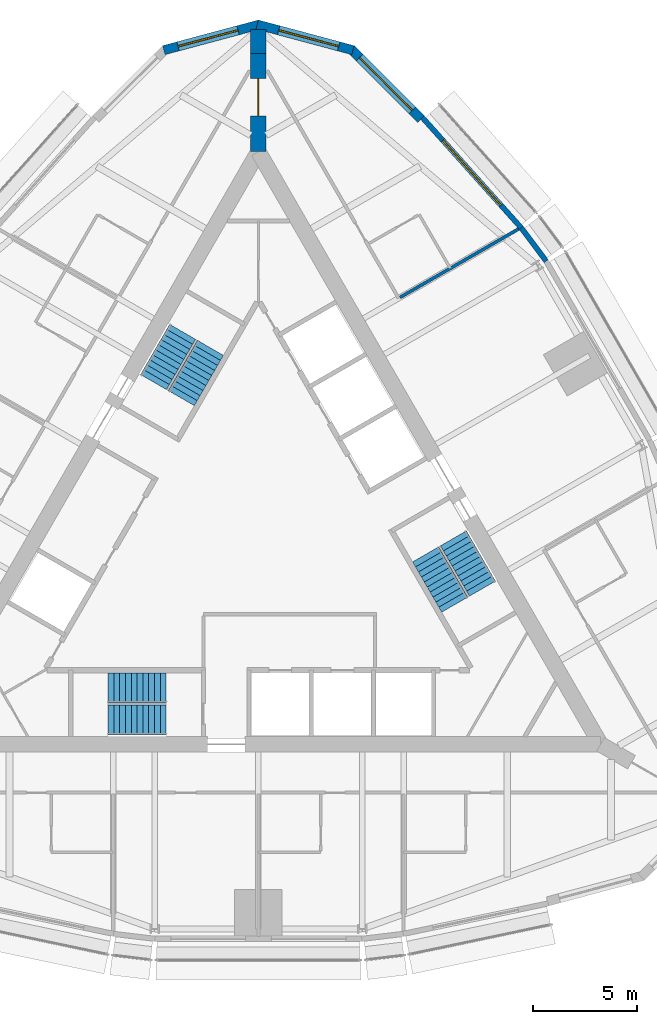
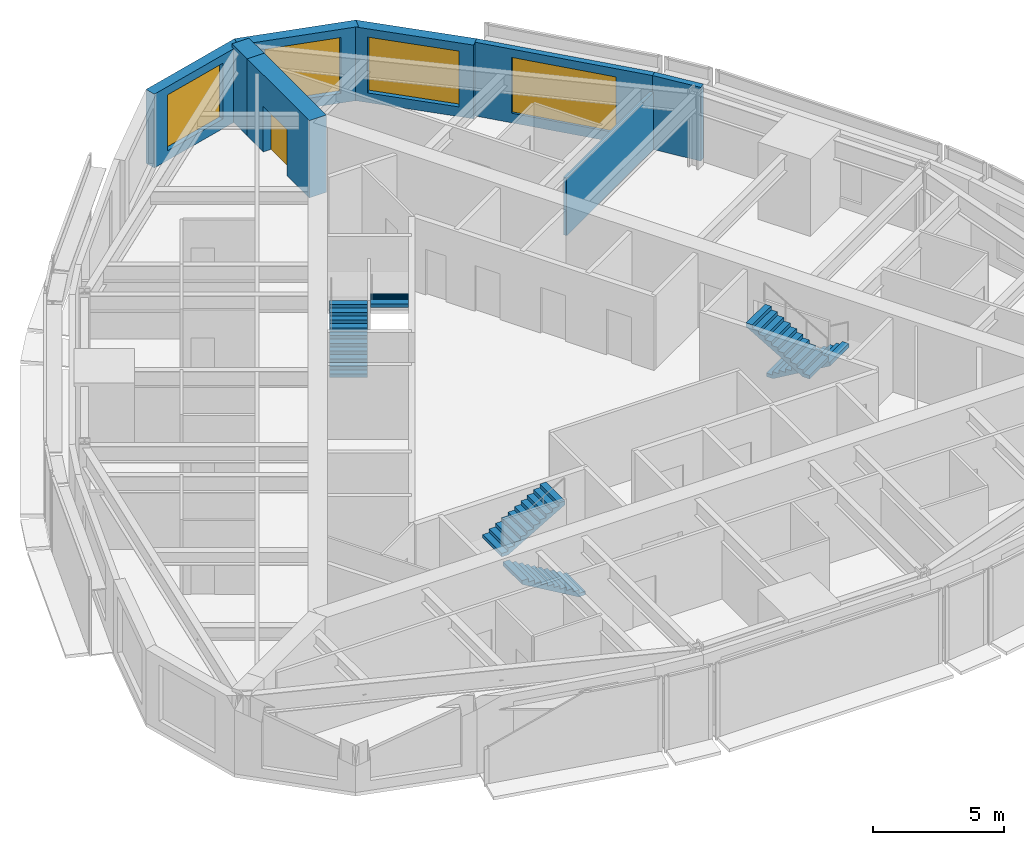
# One storey, part 11 of 12: 8 walls, 6 stair flights, 4 windows, 1 door, 5 openings, 3 elements without a shape of their own.
"""IFC4 building model written with IfcOpenShell, lengths in metres."""

from ifc_helpers import new_model, si_unit, direction, frame, frame_2d, origin, place, context, subcontext, project, spatial, polyline, rectangle, outline, extrude, material, layer, layer_set, type_object, element, fill, aggregate, save


model = new_model("IFC4")

# Units and contexts
model_context = context("Model", 3, precision=1e-05, world=origin(), true_north=direction((0.0, 1.0)))
body_context = subcontext(model_context, "Body", "Model", "MODEL_VIEW")
ifc_project = project(units=[si_unit("LENGTHUNIT", "METRE"), si_unit("AREAUNIT", "SQUARE_METRE"), si_unit("VOLUMEUNIT", "CUBIC_METRE"), si_unit("PLANEANGLEUNIT", "RADIAN"), si_unit("MASSUNIT", "GRAM", prefix="KILO")], contexts=[model_context])

# Site, building, storey
site_placement = place(None, origin())
site = spatial("IfcSite", under=ifc_project, at=site_placement, CompositionType="ELEMENT")
building_placement = place(site_placement, origin())
building = spatial("IfcBuilding", under=site, at=building_placement, Name="Trikona Tower", CompositionType="ELEMENT")
storey_placement = place(building_placement, frame((0.0, 0.0, 242.89990234375)))
storey = spatial("IfcBuildingStorey", under=building, at=storey_placement, Name="L64", CompositionType="ELEMENT", Elevation=242.89990234375)

# Wall, opening, window
ifc_material_1 = material(Name="Brick-faced precast concrete", Category="masonry")
ifc_layer_1 = layer(ifc_material_1, 0.449951171875)
ifc_layer_set_1 = layer_set([ifc_layer_1], Name="Brick-faced corner wall 450")
wall_type_1 = type_object("IfcWallType", Name="Brick-faced corner wall 450", PredefinedType="SOLIDWALL", material=ifc_layer_set_1)
wall_1_placement = place(storey_placement, frame((7.8408203125, 20.62548828125, 0.0), z_axis=(0.0, 0.0, 1.0), x_axis=(-0.707106781187, 0.707106781187, 0.0)))
wall_1 = element("IfcWall", 1, at=wall_1_placement, inside=storey, type_object=wall_type_1, Name="External wall L64-14", PredefinedType="SOLIDWALL", context=body_context, shape_type="SweptSolid", body=[
    extrude(rectangle(XDim=4.781494140625, YDim=0.449951171875, at=frame_2d((2.390625, 0.0))), origin(), (0.0, 0.0, 1.0), 3.43505859375),
])
opening_1_placement = place(wall_1_placement, frame((0.5908203125, 0.0, 0.449951171875)))
opening_1 = element("IfcOpeningElement", 2, at=opening_1_placement, cuts=wall_1, Name="Opening W3626", PredefinedType="OPENING", context=body_context, shape_type="SweptSolid", body=[
    extrude(rectangle(XDim=3.60009765625, YDim=2.60009765625, at=frame_2d((1.800048828125, 1.300048828125))), frame((0.0, 0.23486328125, 0.0), z_axis=(0.0, -1.0, 0.0), x_axis=(1.0, 0.0, 0.0)), (0.0, 0.0, 1.0), 0.469970703125),
])
ifc_material_2 = material(Name="Aluminium-framed double glazing", Category="aluminium")
window_type_1 = type_object("IfcWindowType", Name="Window 3600x2600", PartitioningType="SINGLE_PANEL", PredefinedType="WINDOW", material=ifc_material_2)
window_1_placement = place(opening_1_placement, origin())
window_1 = element("IfcWindow", 3, at=window_1_placement, inside=storey, type_object=window_type_1, Name="Window 6405", OverallHeight=2.60009765625, OverallWidth=3.60009765625, PartitioningType="SINGLE_PANEL", PredefinedType="WINDOW", context=body_context, shape_type="SweptSolid", body=[
    extrude(rectangle(XDim=3.60009765625, YDim=2.60009765625, at=frame_2d((1.800048828125, 1.300048828125))), frame((0.0, 0.030029296875, 0.0), z_axis=(0.0, -1.0, 0.0), x_axis=(1.0, 0.0, 0.0)), (0.0, 0.0, 1.0), 0.06005859375),
])
fill(opening_1, window_1)

wall_2_placement = place(storey_placement, frame((4.560546875, 23.948486328125, 0.0), z_axis=(0.0, 0.0, 1.0), x_axis=(-0.965926628191, 0.258816052347, 0.0)))
wall_2 = element("IfcWall", 4, at=wall_2_placement, inside=storey, type_object=wall_type_1, Name="External wall L64-15", PredefinedType="SOLIDWALL", context=body_context, shape_type="SweptSolid", body=[
    extrude(outline(polyline([(4.781494140625, 0.22509765625), (4.722412109375, 0.22509765625), (4.302978515625, 0.112548828125), (4.27294921875, 0.22509765625), (0.0, 0.22509765625), (0.0, -0.22509765625), (4.781494140625, -0.22509765625), (4.781494140625, 0.22509765625)])), origin(), (0.0, 0.0, 1.0), 3.43505859375),
])
opening_2_placement = place(wall_2_placement, frame((0.71142578125, 0.0, 0.449951171875)))
opening_2 = element("IfcOpeningElement", 5, at=opening_2_placement, cuts=wall_2, Name="Opening W3026", PredefinedType="OPENING", context=body_context, shape_type="SweptSolid", body=[
    extrude(rectangle(XDim=3.0, YDim=2.60009765625, at=frame_2d((1.5, 1.300048828125))), frame((0.0, 0.23486328125, 0.0), z_axis=(0.0, -1.0, 0.0), x_axis=(1.0, 0.0, 0.0)), (0.0, 0.0, 1.0), 0.469970703125),
])
ifc_material_3 = material(Name="Aluminium-framed double glazing", Category="aluminium")
window_type_2 = type_object("IfcWindowType", Name="Window 3000x2600", PartitioningType="SINGLE_PANEL", PredefinedType="WINDOW", material=ifc_material_3)
window_2_placement = place(opening_2_placement, origin())
window_2 = element("IfcWindow", 6, at=window_2_placement, inside=storey, type_object=window_type_2, Name="Window 6405", OverallHeight=2.60009765625, OverallWidth=3.0, PartitioningType="SINGLE_PANEL", PredefinedType="WINDOW", context=body_context, shape_type="SweptSolid", body=[
    extrude(rectangle(XDim=3.0, YDim=2.60009765625, at=frame_2d((1.5, 1.300048828125))), frame((0.0, 0.030029296875, 0.0), z_axis=(0.0, -1.0, 0.0), x_axis=(1.0, 0.0, 0.0)), (0.0, 0.0, 1.0), 0.06005859375),
])
fill(opening_2, window_2)

wall_3_placement = place(storey_placement, frame((0.05810546875, 25.18603515625, 0.0), z_axis=(0.0, 0.0, 1.0), x_axis=(-0.965926628191, -0.258816052347, 0.0)))
wall_3 = element("IfcWall", 7, at=wall_3_placement, inside=storey, type_object=wall_type_1, Name="External wall L64-16", PredefinedType="SOLIDWALL", context=body_context, shape_type="SweptSolid", body=[
    extrude(outline(polyline([(4.781494140625, 0.22509765625), (0.508544921875, 0.22509765625), (0.478515625, 0.112548828125), (0.059326171875, 0.22509765625), (0.0, 0.22509765625), (0.0, -0.22509765625), (4.781494140625, -0.22509765625), (4.781494140625, 0.22509765625)])), origin(), (0.0, 0.0, 1.0), 3.43505859375),
])
opening_3_placement = place(wall_3_placement, frame((1.0703125, 0.0, 0.449951171875)))
opening_3 = element("IfcOpeningElement", 8, at=opening_3_placement, cuts=wall_3, Name="Opening W3026", PredefinedType="OPENING", context=body_context, shape_type="SweptSolid", body=[
    extrude(rectangle(XDim=3.0, YDim=2.60009765625, at=frame_2d((1.5, 1.300048828125))), frame((0.0, 0.23486328125, 0.0), z_axis=(0.0, -1.0, 0.0), x_axis=(1.0, 0.0, 0.0)), (0.0, 0.0, 1.0), 0.469970703125),
])
window_3_placement = place(opening_3_placement, origin())
window_3 = element("IfcWindow", 9, at=window_3_placement, inside=storey, type_object=window_type_2, Name="Window 6406", OverallHeight=2.60009765625, OverallWidth=3.0, PartitioningType="SINGLE_PANEL", PredefinedType="WINDOW", context=body_context, shape_type="SweptSolid", body=[
    extrude(rectangle(XDim=3.0, YDim=2.60009765625, at=frame_2d((1.5, 1.300048828125))), frame((0.0, 0.030029296875, 0.0), z_axis=(0.0, -1.0, 0.0), x_axis=(1.0, 0.0, 0.0)), (0.0, 0.0, 1.0), 0.06005859375),
])
fill(opening_3, window_3)

# Wall, opening, door
ifc_material_4 = material(Name="Concrete f'c 10000 psi", Category="concrete")
ifc_layer_2 = layer(ifc_material_4, 0.75)
ifc_layer_set_2 = layer_set([ifc_layer_2], Name="Buttress wall 750")
wall_type_2 = type_object("IfcWallType", Name="Buttress wall 750", PredefinedType="SHEAR", material=ifc_layer_set_2)
wall_4_placement = place(storey_placement, frame((0.0, 19.052490234375, 0.0), z_axis=(0.0, 0.0, 1.0), x_axis=(0.0, 1.0, 0.0)))
wall_4 = element("IfcWall", 10, at=wall_4_placement, inside=storey, type_object=wall_type_2, Name="Buttress wall 2", PredefinedType="SHEAR", context=body_context, shape_type="SweptSolid", body=[
    extrude(rectangle(XDim=4.74609375, YDim=0.75, at=frame_2d((2.373046875, 0.0))), origin(), (0.0, 0.0, 1.0), 3.60009765625),
])
opening_4_placement = place(wall_4_placement, frame((1.72509765625, 0.0, 0.0)))
opening_4 = element("IfcOpeningElement", 11, at=opening_4_placement, cuts=wall_4, Name="Opening D10", PredefinedType="OPENING", context=body_context, shape_type="SweptSolid", body=[
    extrude(rectangle(XDim=1.800048828125, YDim=2.1298828125, at=frame_2d((0.89990234375, 1.06494140625))), frame((0.0, 0.385009765625, 0.0), z_axis=(0.0, -1.0, 0.0), x_axis=(1.0, 0.0, 0.0)), (0.0, 0.0, 1.0), 0.77001953125),
])
ifc_material_5 = material(Name="Hollow metal door and frame", Category="steel")
door_type = type_object("IfcDoorType", Name="Cross-corridor door pair 1800x2130", OperationType="DOUBLE_DOOR_DOUBLE_SWING", PredefinedType="DOOR", material=ifc_material_5)
door_placement = place(opening_4_placement, origin())
door = element("IfcDoor", 12, at=door_placement, inside=storey, type_object=door_type, Name="Cross-corridor door 2", OperationType="DOUBLE_DOOR_DOUBLE_SWING", OverallHeight=2.1298828125, OverallWidth=1.800048828125, PredefinedType="DOOR", context=body_context, shape_type="SweptSolid", body=[
    extrude(rectangle(XDim=1.800048828125, YDim=2.1298828125, at=frame_2d((0.89990234375, 1.06494140625))), frame((0.0, 0.02490234375, 0.0), z_axis=(0.0, -1.0, 0.0), x_axis=(1.0, 0.0, 0.0)), (0.0, 0.0, 1.0), 0.050048828125),
])
fill(opening_4, door)

# Walls
wall_5_placement = place(storey_placement, frame((0.0, 23.798583984375, 0.0), z_axis=(0.0, 0.0, 1.0), x_axis=(0.0, 1.0, 0.0)))
element("IfcWall", 13, at=wall_5_placement, inside=storey, type_object=wall_type_2, Name="Buttress wall 2 part 2", PredefinedType="SHEAR", context=body_context, shape_type="SweptSolid", body=[
    extrude(rectangle(XDim=1.15478515625, YDim=0.75, at=frame_2d((0.577392578125, 0.0))), origin(), (0.0, 0.0, 1.0), 3.60009765625),
])
ifc_material_6 = material(Name="Insulated precast concrete spandrel panel", Category="concrete")
ifc_layer_3 = layer(ifc_material_6, 0.25)
ifc_layer_set_3 = layer_set([ifc_layer_3], Name="Inner skin wall 250")
wall_type_3 = type_object("IfcWallType", Name="Inner skin wall 250", PredefinedType="STANDARD", material=ifc_layer_set_3)
wall_6_placement = place(storey_placement, frame((13.880859375, 13.7705078125, 0.0), z_axis=(0.0, 0.0, 1.0), x_axis=(-0.599650843534, 0.800261748335, 0.0)))
element("IfcWall", 14, at=wall_6_placement, inside=storey, type_object=wall_type_3, Name="External wall L64-12", PredefinedType="STANDARD", context=body_context, shape_type="SweptSolid", body=[
    extrude(rectangle(XDim=2.01416015625, YDim=0.25, at=frame_2d((1.007080078125, 0.0))), origin(), (0.0, 0.0, 1.0), 3.43505859375),
])

# Wall, opening, window
wall_7_placement = place(storey_placement, frame((12.679931640625, 15.3740234375, 0.0), z_axis=(0.0, 0.0, 1.0), x_axis=(-0.667303550892, 0.744785855778, 0.0)))
wall_7 = element("IfcWall", 15, at=wall_7_placement, inside=storey, type_object=wall_type_3, Name="External wall L64-13", PredefinedType="STANDARD", context=body_context, shape_type="SweptSolid", body=[
    extrude(rectangle(XDim=7.152587890625, YDim=0.25, at=frame_2d((3.576171875, 0.0))), origin(), (0.0, 0.0, 1.0), 3.43505859375),
])
opening_5_placement = place(wall_7_placement, frame((1.476318359375, 0.0, 0.449951171875)))
opening_5 = element("IfcOpeningElement", 16, at=opening_5_placement, cuts=wall_7, Name="Opening W4226", PredefinedType="OPENING", context=body_context, shape_type="SweptSolid", body=[
    extrude(rectangle(XDim=4.199951171875, YDim=2.60009765625, at=frame_2d((2.10009765625, 1.300048828125))), frame((0.0, 0.135009765625, 0.0), z_axis=(0.0, -1.0, 0.0), x_axis=(1.0, 0.0, 0.0)), (0.0, 0.0, 1.0), 0.27001953125),
])
ifc_material_7 = material(Name="Aluminium-framed double glazing", Category="aluminium")
window_type_3 = type_object("IfcWindowType", Name="Window 4200x2600", PartitioningType="SINGLE_PANEL", PredefinedType="WINDOW", material=ifc_material_7)
window_4_placement = place(opening_5_placement, origin())
window_4 = element("IfcWindow", 17, at=window_4_placement, inside=storey, type_object=window_type_3, Name="Window 6405", OverallHeight=2.60009765625, OverallWidth=4.199951171875, PartitioningType="SINGLE_PANEL", PredefinedType="WINDOW", context=body_context, shape_type="SweptSolid", body=[
    extrude(rectangle(XDim=4.199951171875, YDim=2.60009765625, at=frame_2d((2.10009765625, 1.300048828125))), frame((0.0, 0.030029296875, 0.0), z_axis=(0.0, -1.0, 0.0), x_axis=(1.0, 0.0, 0.0)), (0.0, 0.0, 1.0), 0.06005859375),
])
fill(opening_5, window_4)

# Wall
ifc_material_8 = material(Name="Metal stud and gypsum board, 1-hour acoustic", Category="gypsum")
ifc_layer_4 = layer(ifc_material_8, 0.14990234375)
ifc_layer_set_4 = layer_set([ifc_layer_4], Name="Party wall 150")
wall_type_4 = type_object("IfcWallType", Name="Party wall 150", PredefinedType="PARTITIONING", material=ifc_layer_set_4)
wall_8_placement = place(storey_placement, frame((6.82861328125, 12.025390625, 0.0), z_axis=(0.0, 0.0, 1.0), x_axis=(0.866029323189, 0.499993211332, 0.0)))
element("IfcWall", 18, at=wall_8_placement, inside=storey, type_object=wall_type_4, Name="Partition L64 F2 u7", PredefinedType="PARTITIONING", context=body_context, shape_type="SweptSolid", body=[
    extrude(rectangle(XDim=6.6083984375, YDim=0.14990234375, at=frame_2d((3.30419921875, 0.0))), origin(), (0.0, 0.0, 1.0), 2.677978515625),
])

# Stair, stair flights
ifc_material_9 = material(Name="Concrete f'c 5000 psi", Category="concrete")
stair_type = type_object("IfcStairType", Name="Core stair", PredefinedType="HALF_TURN_STAIR", material=ifc_material_9)
stair_1_placement = place(storey_placement, origin())
stair_1 = element("IfcStair", 19, at=stair_1_placement, inside=storey, type_object=stair_type, Name="Stair A L64", PredefinedType="HALF_TURN_STAIR")
ifc_material_10 = material(Name="Concrete f'c 5000 psi", Category="concrete")
stair_flight_type = type_object("IfcStairFlightType", Name="Core stair flight 1450", PredefinedType="STRAIGHT", material=ifc_material_10)
stair_flight_1_placement = place(storey_placement, frame((-4.449951171875, -8.351318359375, 0.0), z_axis=(0.0, 0.0, 1.0), x_axis=(-1.0, 0.0, 0.0)))
stair_flight_1 = element("IfcStairFlight", 20, at=stair_flight_1_placement, type_object=stair_flight_type, Name="ST-A flight 1", NumberOfRisers=11, NumberOfTreads=10, PredefinedType="STRAIGHT", RiserHeight=0.163636, TreadLength=0.28, context=body_context, shape_type="SweptSolid", body=[
    extrude(outline(polyline([(0.0, 0.0), (0.0, 0.16357421875), (0.280029296875, 0.16357421875), (0.280029296875, 0.327392578125), (0.56005859375, 0.327392578125), (0.56005859375, 0.490966796875), (0.840087890625, 0.490966796875), (0.840087890625, 0.654541015625), (1.1201171875, 0.654541015625), (1.1201171875, 0.818115234375), (1.39990234375, 0.818115234375), (1.39990234375, 0.98193359375), (1.679931640625, 0.98193359375), (1.679931640625, 1.1455078125), (1.9599609375, 1.1455078125), (1.9599609375, 1.30908203125), (2.239990234375, 1.30908203125), (2.239990234375, 1.47265625), (2.52001953125, 1.47265625), (2.52001953125, 1.636474609375), (2.800048828125, 1.636474609375), (2.800048828125, 1.800048828125), (2.800048828125, 1.462646484375), (0.297119140625, 0.0), (0.0, 0.0)])), frame((0.0, 0.72509765625, 0.0), z_axis=(0.0, -1.0, 0.0), x_axis=(1.0, 0.0, 0.0)), (0.0, 0.0, 1.0), 1.449951171875),
])
stair_flight_2_placement = place(storey_placement, frame((-7.25, -6.80126953125, 1.800048828125), z_axis=(0.0, 0.0, 1.0), x_axis=(1.0, 0.0, 0.0)))
stair_flight_2 = element("IfcStairFlight", 21, at=stair_flight_2_placement, type_object=stair_flight_type, Name="ST-A flight 2", NumberOfRisers=11, NumberOfTreads=10, PredefinedType="STRAIGHT", RiserHeight=0.163636, TreadLength=0.28, context=body_context, shape_type="SweptSolid", body=[
    extrude(outline(polyline([(0.0, 0.0), (0.0, 0.16357421875), (0.280029296875, 0.16357421875), (0.280029296875, 0.327392578125), (0.56005859375, 0.327392578125), (0.56005859375, 0.490966796875), (0.840087890625, 0.490966796875), (0.840087890625, 0.654541015625), (1.1201171875, 0.654541015625), (1.1201171875, 0.818115234375), (1.39990234375, 0.818115234375), (1.39990234375, 0.98193359375), (1.679931640625, 0.98193359375), (1.679931640625, 1.1455078125), (1.9599609375, 1.1455078125), (1.9599609375, 1.30908203125), (2.239990234375, 1.30908203125), (2.239990234375, 1.47265625), (2.52001953125, 1.47265625), (2.52001953125, 1.636474609375), (2.800048828125, 1.636474609375), (2.800048828125, 1.800048828125), (2.800048828125, 1.462646484375), (0.297119140625, 0.0), (0.0, 0.0)])), frame((0.0, 0.72509765625, 0.0), z_axis=(0.0, -1.0, 0.0), x_axis=(1.0, 0.0, 0.0)), (0.0, 0.0, 1.0), 1.449951171875),
])
aggregate(stair_1, [stair_flight_1, stair_flight_2])

stair_2_placement = place(storey_placement, origin())
stair_2 = element("IfcStair", 22, at=stair_2_placement, inside=storey, type_object=stair_type, Name="Stair B L64", PredefinedType="HALF_TURN_STAIR")
stair_flight_3_placement = place(storey_placement, frame((9.407470703125, 0.408447265625, 0.0), z_axis=(0.0, 0.0, 1.0), x_axis=(0.5, -0.866025403784, 0.0)))
stair_flight_3 = element("IfcStairFlight", 23, at=stair_flight_3_placement, type_object=stair_flight_type, Name="ST-B flight 1", NumberOfRisers=11, NumberOfTreads=10, PredefinedType="STRAIGHT", RiserHeight=0.163636, TreadLength=0.28, context=body_context, shape_type="SweptSolid", body=[
    extrude(outline(polyline([(0.0, 0.0), (0.0, 0.16357421875), (0.280029296875, 0.16357421875), (0.280029296875, 0.327392578125), (0.56005859375, 0.327392578125), (0.56005859375, 0.490966796875), (0.840087890625, 0.490966796875), (0.840087890625, 0.654541015625), (1.1201171875, 0.654541015625), (1.1201171875, 0.818115234375), (1.39990234375, 0.818115234375), (1.39990234375, 0.98193359375), (1.679931640625, 0.98193359375), (1.679931640625, 1.1455078125), (1.9599609375, 1.1455078125), (1.9599609375, 1.30908203125), (2.239990234375, 1.30908203125), (2.239990234375, 1.47265625), (2.52001953125, 1.47265625), (2.52001953125, 1.636474609375), (2.800048828125, 1.636474609375), (2.800048828125, 1.800048828125), (2.800048828125, 1.462646484375), (0.297119140625, 0.0), (0.0, 0.0)])), frame((0.0, 0.72509765625, 0.0), z_axis=(0.0, -1.0, 0.0), x_axis=(1.0, 0.0, 0.0)), (0.0, 0.0, 1.0), 1.449951171875),
])
stair_flight_4_placement = place(storey_placement, frame((9.465087890625, -2.79150390625, 1.800048828125), z_axis=(0.0, 0.0, 1.0), x_axis=(-0.5, 0.866025403784, 0.0)))
stair_flight_4 = element("IfcStairFlight", 24, at=stair_flight_4_placement, type_object=stair_flight_type, Name="ST-B flight 2", NumberOfRisers=11, NumberOfTreads=10, PredefinedType="STRAIGHT", RiserHeight=0.163636, TreadLength=0.28, context=body_context, shape_type="SweptSolid", body=[
    extrude(outline(polyline([(0.0, 0.0), (0.0, 0.16357421875), (0.280029296875, 0.16357421875), (0.280029296875, 0.327392578125), (0.56005859375, 0.327392578125), (0.56005859375, 0.490966796875), (0.840087890625, 0.490966796875), (0.840087890625, 0.654541015625), (1.1201171875, 0.654541015625), (1.1201171875, 0.818115234375), (1.39990234375, 0.818115234375), (1.39990234375, 0.98193359375), (1.679931640625, 0.98193359375), (1.679931640625, 1.1455078125), (1.9599609375, 1.1455078125), (1.9599609375, 1.30908203125), (2.239990234375, 1.30908203125), (2.239990234375, 1.47265625), (2.52001953125, 1.47265625), (2.52001953125, 1.636474609375), (2.800048828125, 1.636474609375), (2.800048828125, 1.800048828125), (2.800048828125, 1.462646484375), (0.297119140625, 0.0), (0.0, 0.0)])), frame((0.0, 0.72509765625, 0.0), z_axis=(0.0, -1.0, 0.0), x_axis=(1.0, 0.0, 0.0)), (0.0, 0.0, 1.0), 1.449951171875),
])
aggregate(stair_2, [stair_flight_3, stair_flight_4])

stair_3_placement = place(storey_placement, origin())
stair_3 = element("IfcStair", 25, at=stair_3_placement, inside=storey, type_object=stair_type, Name="Stair C L64", PredefinedType="HALF_TURN_STAIR")
stair_flight_5_placement = place(storey_placement, frame((-5.057373046875, 7.94287109375, 0.0), z_axis=(0.0, 0.0, 1.0), x_axis=(0.5, 0.866025403784, 0.0)))
stair_flight_5 = element("IfcStairFlight", 26, at=stair_flight_5_placement, type_object=stair_flight_type, Name="ST-C flight 1", NumberOfRisers=11, NumberOfTreads=10, PredefinedType="STRAIGHT", RiserHeight=0.163636, TreadLength=0.28, context=body_context, shape_type="SweptSolid", body=[
    extrude(outline(polyline([(0.0, 0.0), (0.0, 0.16357421875), (0.280029296875, 0.16357421875), (0.280029296875, 0.327392578125), (0.56005859375, 0.327392578125), (0.56005859375, 0.490966796875), (0.840087890625, 0.490966796875), (0.840087890625, 0.654541015625), (1.1201171875, 0.654541015625), (1.1201171875, 0.818115234375), (1.39990234375, 0.818115234375), (1.39990234375, 0.98193359375), (1.679931640625, 0.98193359375), (1.679931640625, 1.1455078125), (1.9599609375, 1.1455078125), (1.9599609375, 1.30908203125), (2.239990234375, 1.30908203125), (2.239990234375, 1.47265625), (2.52001953125, 1.47265625), (2.52001953125, 1.636474609375), (2.800048828125, 1.636474609375), (2.800048828125, 1.800048828125), (2.800048828125, 1.462646484375), (0.297119140625, 0.0), (0.0, 0.0)])), frame((0.0, 0.72509765625, 0.0), z_axis=(0.0, -1.0, 0.0), x_axis=(1.0, 0.0, 0.0)), (0.0, 0.0, 1.0), 1.449951171875),
])
stair_flight_6_placement = place(storey_placement, frame((-2.315185546875, 9.5927734375, 1.800048828125), z_axis=(0.0, 0.0, 1.0), x_axis=(-0.5, -0.866025403784, 0.0)))
stair_flight_6 = element("IfcStairFlight", 27, at=stair_flight_6_placement, type_object=stair_flight_type, Name="ST-C flight 2", NumberOfRisers=11, NumberOfTreads=10, PredefinedType="STRAIGHT", RiserHeight=0.163636, TreadLength=0.28, context=body_context, shape_type="SweptSolid", body=[
    extrude(outline(polyline([(0.0, 0.0), (0.0, 0.16357421875), (0.280029296875, 0.16357421875), (0.280029296875, 0.327392578125), (0.56005859375, 0.327392578125), (0.56005859375, 0.490966796875), (0.840087890625, 0.490966796875), (0.840087890625, 0.654541015625), (1.1201171875, 0.654541015625), (1.1201171875, 0.818115234375), (1.39990234375, 0.818115234375), (1.39990234375, 0.98193359375), (1.679931640625, 0.98193359375), (1.679931640625, 1.1455078125), (1.9599609375, 1.1455078125), (1.9599609375, 1.30908203125), (2.239990234375, 1.30908203125), (2.239990234375, 1.47265625), (2.52001953125, 1.47265625), (2.52001953125, 1.636474609375), (2.800048828125, 1.636474609375), (2.800048828125, 1.800048828125), (2.800048828125, 1.462646484375), (0.297119140625, 0.0), (0.0, 0.0)])), frame((0.0, 0.72509765625, 0.0), z_axis=(0.0, -1.0, 0.0), x_axis=(1.0, 0.0, 0.0)), (0.0, 0.0, 1.0), 1.449951171875),
])
aggregate(stair_3, [stair_flight_5, stair_flight_6])

save(model, "model.ifc")
